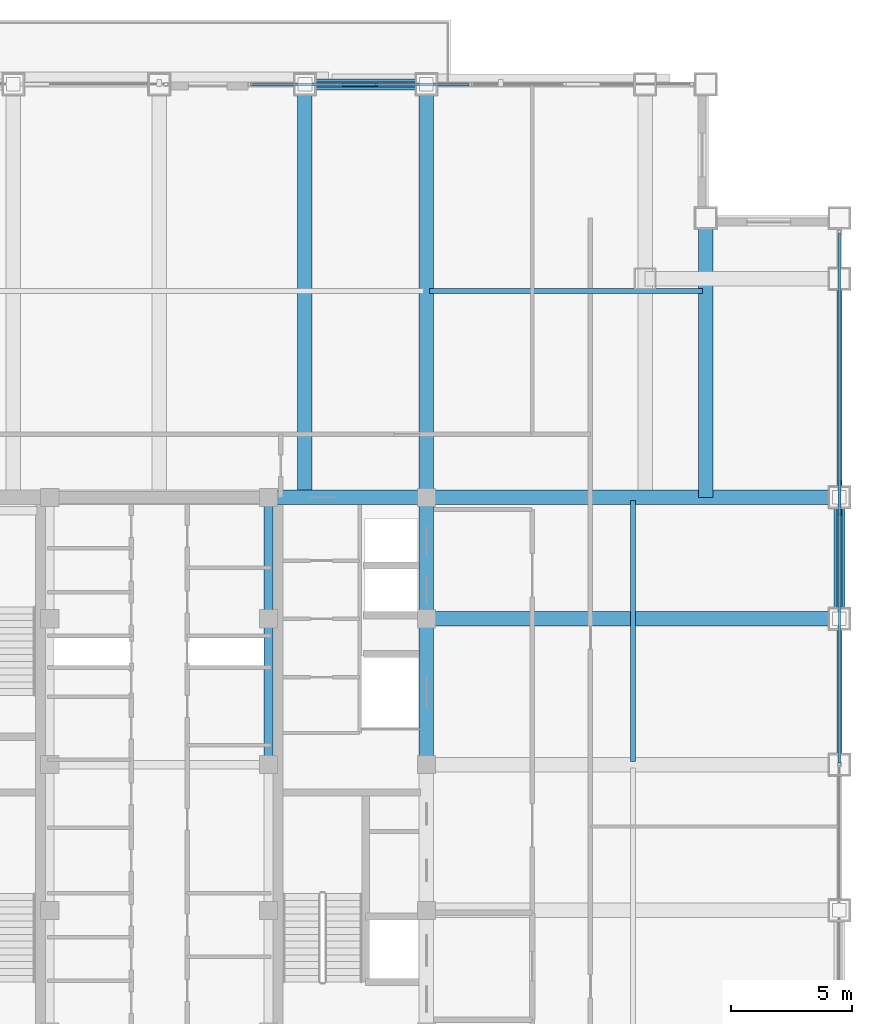
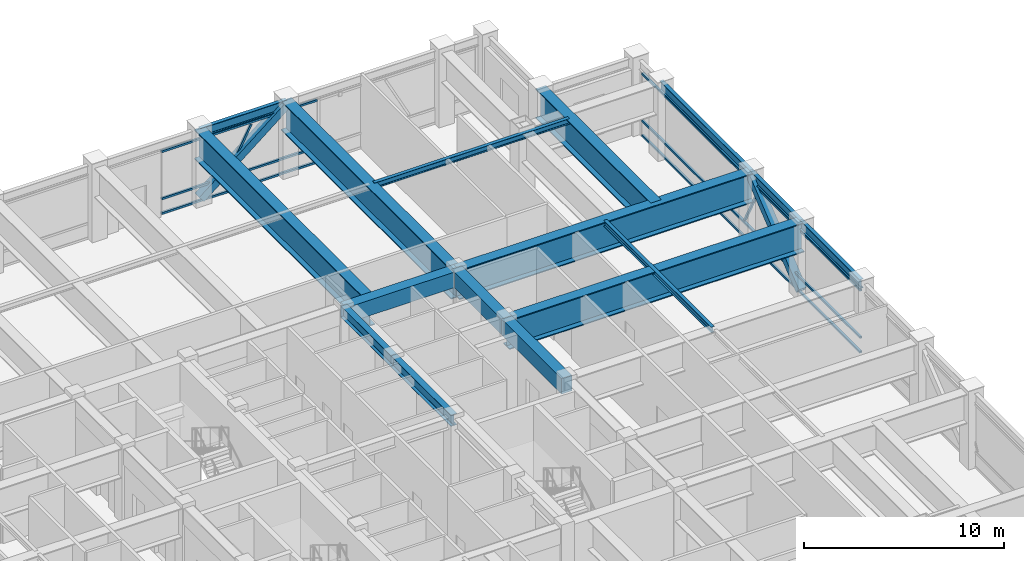
# One storey, part 18 of 31: 16 beams, 10 members, 2 elements without a shape of their own.
"""IFC4 building model written with IfcOpenShell, lengths in metres."""

from ifc_helpers import new_model, si_unit, direction, frame, origin, origin_2d, place, context, subcontext, project, spatial, rectangle, hollow_rectangle, i_section, extrude, source, transform, mapped, material, material_profile, profile_set, type_object, element, aggregate, save


model = new_model("IFC4")

# Units and contexts
model_context = context("Model", 3, precision=1e-05, world=origin(), true_north=direction((0.0, 1.0)))
body_context = subcontext(model_context, "Body", "Model", "MODEL_VIEW")
ifc_project = project(units=[si_unit("LENGTHUNIT", "METRE"), si_unit("AREAUNIT", "SQUARE_METRE"), si_unit("VOLUMEUNIT", "CUBIC_METRE"), si_unit("PLANEANGLEUNIT", "RADIAN"), si_unit("MASSUNIT", "GRAM", prefix="KILO")], contexts=[model_context])

# Site, building, storey
site_placement = place(None, origin())
site = spatial("IfcSite", under=ifc_project, at=site_placement, CompositionType="ELEMENT")
building_placement = place(site_placement, origin())
building = spatial("IfcBuilding", under=site, at=building_placement, Name="Khorayat Bourse Tower", CompositionType="ELEMENT")
storey_placement = place(building_placement, frame((0.0, 0.0, 321.5)))
storey = spatial("IfcBuildingStorey", under=building, at=storey_placement, Name="L76", CompositionType="ELEMENT", Elevation=321.5)

# Beams
ifc_material_1 = material(Name="Steel ASTM A992 Grade 50", Category="steel")
ifc_material_profile_1 = material_profile(ifc_material_1, i_section(OverallWidth=0.35498046875, OverallDepth=0.695068359375, WebThickness=0.015380859375, FlangeThickness=0.02490234375, FilletRadius=0.01806640625, at=origin_2d()), Name="W690X217")
ifc_profile_set_1 = profile_set([ifc_material_profile_1], Name="Steel ASTM A992 Grade 50")
beam_type_1 = type_object("IfcBeamType", Name="BM-GIRD-690", PredefinedType="BEAM", material=ifc_profile_set_1)
shared_shape_1 = source(origin(), body_context, "Body", "SweptSolid", [
    extrude(i_section(OverallWidth=0.35498046875, OverallDepth=0.695068359375, WebThickness=0.015380859375, FlangeThickness=0.02490234375, FilletRadius=0.01806640625, at=origin_2d()), origin(), (0.0, 0.0, 1.0), 5.0),
])
beam_1_placement = place(storey_placement, frame((4.5, 6.0, 4.1923828125), z_axis=(0.0, 1.0, 0.0), x_axis=(-1.0, 0.0, 0.0)))
element("IfcBeam", 1, at=beam_1_placement, inside=storey, type_object=beam_type_1, Name="L76 BM-GIRD-690 BM-L76-CRX-12", PredefinedType="BEAM", context=body_context, shape_type="MappedRepresentation", body=[
    mapped(shared_shape_1, transform((0.0, 0.0, 0.0), scale=1.0)),
])
shared_shape_2 = source(origin(), body_context, "Body", "SweptSolid", [
    extrude(i_section(OverallWidth=0.35498046875, OverallDepth=0.695068359375, WebThickness=0.015380859375, FlangeThickness=0.02490234375, FilletRadius=0.01806640625, at=origin_2d()), origin(), (0.0, 0.0, 1.0), 6.0),
])
beam_2_placement = place(storey_placement, frame((4.5, 0.0, 4.1923828125), z_axis=(0.0, 1.0, 0.0), x_axis=(-1.0, 0.0, 0.0)))
element("IfcBeam", 2, at=beam_2_placement, inside=storey, type_object=beam_type_1, Name="L76 BM-GIRD-690 BM-L76-CRX-11", PredefinedType="BEAM", context=body_context, shape_type="MappedRepresentation", body=[
    mapped(shared_shape_2, transform((0.0, 0.0, 0.0), scale=1.0)),
])
ifc_material_2 = material(Name="Steel EN 10025-4 S460M", Category="steel")
ifc_material_profile_2 = material_profile(ifc_material_2, i_section(OverallWidth=0.60009765625, OverallDepth=1.800048828125, WebThickness=0.031982421875, FlangeThickness=0.06005859375, at=origin_2d()), Name="PG 1800x600x32x60")
ifc_profile_set_2 = profile_set([ifc_material_profile_2], Name="Steel EN 10025-4 S460M")
beam_type_2 = type_object("IfcBeamType", Name="BM-TR-1800", PredefinedType="BEAM", material=ifc_profile_set_2)
shared_shape_3 = source(origin(), body_context, "Body", "SweptSolid", [
    extrude(i_section(OverallWidth=0.60009765625, OverallDepth=1.800048828125, WebThickness=0.031982421875, FlangeThickness=0.06005859375, at=origin_2d()), origin(), (0.0, 0.0, 1.0), 17.0),
])
for number, where, z_axis, x_axis, name in (
    (3, (6.0, 11.0, 3.60009765625), (0.0, 1.0, 0.0), (-1.0, 0.0, 0.0), "L76 BM-TR-1800 BM-L76-RADY-070"),
    (4, (11.0, 11.0, 3.60009765625), (0.0, 1.0, 0.0), (-1.0, 0.0, 0.0), "L76 BM-TR-1800 BM-L76-RADY-072"),
    (5, (11.0, 6.0, 3.639892578125), (1.0, 0.0, 0.0), (0.0, 1.0, 0.0), "L76 BM-TR-1800 BM-L76-RADX-080"),
    (6, (11.0, 11.0, 3.639892578125), (1.0, 0.0, 0.0), (0.0, 1.0, 0.0), "L76 BM-TR-1800 BM-L76-RADX-082"),
):
    element("IfcBeam", number, at=place(storey_placement, frame(where, z_axis=z_axis, x_axis=x_axis)), inside=storey, type_object=beam_type_2, Name=name, PredefinedType="BEAM", context=body_context, shape_type="MappedRepresentation", body=[
        mapped(shared_shape_3, transform((0.0, 0.0, 0.0), scale=1.0)),
    ])
ifc_material_3 = material(Name="Concrete C60/75", Category="concrete")
ifc_material_profile_3 = material_profile(ifc_material_3, rectangle(XDim=0.60009765625, YDim=0.949951171875, at=origin_2d()), Name="RC 600x950")
ifc_profile_set_3 = profile_set([ifc_material_profile_3], Name="Concrete C60/75")
beam_type_3 = type_object("IfcBeamType", Name="BM-COUP-950", PredefinedType="BEAM", material=ifc_profile_set_3)
shared_shape_4 = source(origin(), body_context, "Body", "SweptSolid", [
    extrude(rectangle(XDim=0.60009765625, YDim=0.949951171875, at=origin_2d()), origin(), (0.0, 0.0, 1.0), 5.0),
])
beam_3_placement = place(storey_placement, frame((11.0, 6.0, 4.06494140625), z_axis=(0.0, 1.0, 0.0), x_axis=(-1.0, 0.0, 0.0)))
element("IfcBeam", 7, at=beam_3_placement, inside=storey, type_object=beam_type_3, Name="L76 BM-COUP-950 BM-L76-CRX-16", PredefinedType="BEAM", context=body_context, shape_type="MappedRepresentation", body=[
    mapped(shared_shape_4, transform((0.0, 0.0, 0.0), scale=1.0)),
])
shared_shape_5 = source(origin(), body_context, "Body", "SweptSolid", [
    extrude(rectangle(XDim=0.60009765625, YDim=0.949951171875, at=origin_2d()), origin(), (0.0, 0.0, 1.0), 6.0),
])
beam_4_placement = place(storey_placement, frame((11.0, 0.0, 4.06494140625), z_axis=(0.0, 1.0, 0.0), x_axis=(-1.0, 0.0, 0.0)))
element("IfcBeam", 8, at=beam_4_placement, inside=storey, type_object=beam_type_3, Name="L76 BM-COUP-950 BM-L76-CRX-15", PredefinedType="BEAM", context=body_context, shape_type="MappedRepresentation", body=[
    mapped(shared_shape_5, transform((0.0, 0.0, 0.0), scale=1.0)),
])
shared_shape_6 = source(origin(), body_context, "Body", "SweptSolid", [
    extrude(rectangle(XDim=0.60009765625, YDim=0.949951171875, at=origin_2d()), origin(), (0.0, 0.0, 1.0), 6.5),
])
beam_5_placement = place(storey_placement, frame((4.5, 11.0, 4.06494140625), z_axis=(1.0, 0.0, 0.0), x_axis=(0.0, 1.0, 0.0)))
element("IfcBeam", 9, at=beam_5_placement, inside=storey, type_object=beam_type_3, Name="L76 BM-COUP-950 BM-L76-CRY-22", PredefinedType="BEAM", context=body_context, shape_type="MappedRepresentation", body=[
    mapped(shared_shape_6, transform((0.0, 0.0, 0.0), scale=1.0)),
])
ifc_material_profile_4 = material_profile(ifc_material_1, i_section(OverallWidth=0.202880859375, OverallDepth=0.346923828125, WebThickness=0.0078125, FlangeThickness=0.013427734375, FilletRadius=0.010009765625, at=origin_2d()), Name="W360X64")
ifc_profile_set_4 = profile_set([ifc_material_profile_4], Name="Steel ASTM A992 Grade 50")
beam_type_4 = type_object("IfcBeamType", Name="BM-JOIST-360", PredefinedType="JOIST", material=ifc_profile_set_4)
shared_shape_7 = source(origin(), body_context, "Body", "SweptSolid", [
    extrude(i_section(OverallWidth=0.202880859375, OverallDepth=0.346923828125, WebThickness=0.0078125, FlangeThickness=0.013427734375, FilletRadius=0.010009765625, at=origin_2d()), origin(), (0.0, 0.0, 1.0), 11.240234375),
])
beam_6_placement = place(storey_placement, frame((11.1298828125, 19.5, 4.366455078125), z_axis=(1.0, 0.0, 0.0), x_axis=(0.0, 1.0, 0.0)))
element("IfcBeam", 10, at=beam_6_placement, inside=storey, type_object=beam_type_4, Name="L76 BM-JOIST-360 BM-L76-JSTX-101", PredefinedType="JOIST", context=body_context, shape_type="MappedRepresentation", body=[
    mapped(shared_shape_7, transform((0.0, 0.0, 0.0), scale=1.0)),
])
shared_shape_8 = source(origin(), body_context, "Body", "SweptSolid", [
    extrude(i_section(OverallWidth=0.202880859375, OverallDepth=0.346923828125, WebThickness=0.0078125, FlangeThickness=0.013427734375, FilletRadius=0.010009765625, at=origin_2d()), origin(), (0.0, 0.0, 1.0), 10.740234375),
])
beam_7_placement = place(storey_placement, frame((19.5, 0.1298828125, 4.366455078125), z_axis=(0.0, 1.0, 0.0), x_axis=(-1.0, 0.0, 0.0)))
element("IfcBeam", 11, at=beam_7_placement, inside=storey, type_object=beam_type_4, Name="L76 BM-JOIST-360 BM-L76-JSTY-105", PredefinedType="JOIST", context=body_context, shape_type="MappedRepresentation", body=[
    mapped(shared_shape_8, transform((0.0, 0.0, 0.0), scale=1.0)),
])
ifc_material_profile_5 = material_profile(ifc_material_1, i_section(OverallWidth=0.214111328125, OverallDepth=0.549072265625, WebThickness=0.0146484375, FlangeThickness=0.023681640625, FilletRadius=0.013916015625, at=origin_2d()), Name="W530X138")
ifc_profile_set_5 = profile_set([ifc_material_profile_5], Name="Steel ASTM A992 Grade 50")
beam_type_5 = type_object("IfcBeamType", Name="BM-SPAN-530", PredefinedType="SPANDREL", material=ifc_profile_set_5)
shared_shape_9 = source(origin(), body_context, "Body", "SweptSolid", [
    extrude(i_section(OverallWidth=0.214111328125, OverallDepth=0.549072265625, WebThickness=0.0146484375, FlangeThickness=0.023681640625, FilletRadius=0.013916015625, at=origin_2d()), origin(), (0.0, 0.0, 1.0), 9.0),
])
beam_8_placement = place(storey_placement, frame((28.0, 11.0, 4.265380859375), z_axis=(0.0, 1.0, 0.0), x_axis=(-1.0, 0.0, 0.0)))
element("IfcBeam", 12, at=beam_8_placement, inside=storey, type_object=beam_type_5, Name="L76 BM-SPAN-530 BM-L76-SPN-040", PredefinedType="SPANDREL", context=body_context, shape_type="MappedRepresentation", body=[
    mapped(shared_shape_9, transform((0.0, 0.0, 0.0), scale=1.0)),
])
shared_shape_10 = source(origin(), body_context, "Body", "SweptSolid", [
    extrude(i_section(OverallWidth=0.214111328125, OverallDepth=0.549072265625, WebThickness=0.0146484375, FlangeThickness=0.023681640625, FilletRadius=0.013916015625, at=origin_2d()), origin(), (0.0, 0.0, 1.0), 5.0),
])
for number, where, z_axis, x_axis, name in (
    (13, (28.0, 6.0, 4.265380859375), (0.0, 1.0, 0.0), (-1.0, 0.0, 0.0), "L76 BM-SPAN-530 BM-L76-SPN-039"),
    (14, (6.0, 28.0, 4.2255859375), (1.0, 0.0, 0.0), (0.0, 1.0, 0.0), "L76 BM-SPAN-530 BM-L76-SPN-046"),
):
    element("IfcBeam", number, at=place(storey_placement, frame(where, z_axis=z_axis, x_axis=x_axis)), inside=storey, type_object=beam_type_5, Name=name, PredefinedType="SPANDREL", context=body_context, shape_type="MappedRepresentation", body=[
        mapped(shared_shape_10, transform((0.0, 0.0, 0.0), scale=1.0)),
    ])
shared_shape_11 = source(origin(), body_context, "Body", "SweptSolid", [
    extrude(i_section(OverallWidth=0.214111328125, OverallDepth=0.549072265625, WebThickness=0.0146484375, FlangeThickness=0.023681640625, FilletRadius=0.013916015625, at=origin_2d()), origin(), (0.0, 0.0, 1.0), 6.0),
])
beam_9_placement = place(storey_placement, frame((28.0, 0.0, 4.265380859375), z_axis=(0.0, 1.0, 0.0), x_axis=(-1.0, 0.0, 0.0)))
element("IfcBeam", 15, at=beam_9_placement, inside=storey, type_object=beam_type_5, Name="L76 BM-SPAN-530 BM-L76-SPN-038", PredefinedType="SPANDREL", context=body_context, shape_type="MappedRepresentation", body=[
    mapped(shared_shape_11, transform((0.0, 0.0, 0.0), scale=1.0)),
])
shared_shape_12 = source(origin(), body_context, "Body", "SweptSolid", [
    extrude(i_section(OverallWidth=0.60009765625, OverallDepth=1.800048828125, WebThickness=0.031982421875, FlangeThickness=0.06005859375, at=origin_2d()), origin(), (0.0, 0.0, 1.0), 11.5),
])
beam_10_placement = place(storey_placement, frame((22.5, 11.0, 3.639892578125), z_axis=(0.0, 1.0, 0.0), x_axis=(-1.0, 0.0, 0.0)))
element("IfcBeam", 16, at=beam_10_placement, inside=storey, type_object=beam_type_2, Name="L76 BM-TR-1800 BM-L76-CNRY-091", PredefinedType="BEAM", context=body_context, shape_type="MappedRepresentation", body=[
    mapped(shared_shape_12, transform((0.0, 0.0, 0.0), scale=1.0)),
])

# Members
ifc_material_profile_6 = material_profile(ifc_material_2, hollow_rectangle(XDim=0.449951171875, YDim=0.449951171875, WallThickness=0.02490234375, at=origin_2d()), Name="HSS 450x450x25")
ifc_profile_set_6 = profile_set([ifc_material_profile_6], Name="Steel EN 10025-4 S460M")
member_type_1 = type_object("IfcMemberType", Name="MBR-TUBE-450", PredefinedType="BRACE", material=ifc_profile_set_6)
shared_shape_13 = source(origin(), body_context, "Body", "SweptSolid", [
    extrude(hollow_rectangle(XDim=0.449951171875, YDim=0.449951171875, WallThickness=0.02490234375, at=origin_2d()), origin(), (0.0, 0.0, 1.0), 6.42822265625),
])
for number, where, z_axis, x_axis, name in (
    (17, (6.0, 28.0, 0.25), (0.777821209127, 0.0, 0.628485613703), (0.0, 1.0, 0.0), "L76 Perimeter Tube Brace 04"),
    (18, (28.0, 6.0, 0.25), (0.0, 0.777821209127, 0.628485613703), (-1.0, 0.0, 0.0), "L76 Perimeter Tube Brace 08"),
):
    element("IfcMember", number, at=place(storey_placement, frame(where, z_axis=z_axis, x_axis=x_axis)), inside=storey, type_object=member_type_1, Name=name, PredefinedType="BRACE", context=body_context, shape_type="MappedRepresentation", body=[
        mapped(shared_shape_13, transform((0.0, 0.0, 0.0), scale=1.0)),
    ])

# Curtain wall, member
ifc_material_4 = material(Name="Aluminium EN AW-6063 T6", Category="aluminium")
curtain_wall_type = type_object("IfcCurtainWallType", Name="CW-SYS-05", PredefinedType="NOTDEFINED", material=ifc_material_4)
curtain_wall_1_placement = place(storey_placement, origin())
curtain_wall_1 = element("IfcCurtainWall", 19, at=curtain_wall_1_placement, inside=storey, type_object=curtain_wall_type, Name="L76 Curtain Wall CW-L76-N2", PredefinedType="NOTDEFINED")
ifc_material_profile_7 = material_profile(ifc_material_4, hollow_rectangle(XDim=0.1201171875, YDim=0.1201171875, WallThickness=0.0048828125, at=origin_2d()), Name="ALU 120x120x5")
ifc_profile_set_7 = profile_set([ifc_material_profile_7], Name="Aluminium EN AW-6063 T6")
member_type_2 = type_object("IfcMemberType", Name="CWM-DIAG-120", PredefinedType="MULLION", material=ifc_profile_set_7)
shared_shape_14 = source(origin(), body_context, "Body", "SweptSolid", [
    extrude(hollow_rectangle(XDim=0.1201171875, YDim=0.1201171875, WallThickness=0.0048828125, at=origin_2d()), origin(), (0.0, 0.0, 1.0), 2.93798828125),
])
member_1_placement = place(storey_placement, frame((7.58837890625, 28.0, 1.090087890625), z_axis=(0.465763557035, 0.0, 0.884909209432), x_axis=(0.0, 1.0, 0.0)))
member_1 = element("IfcMember", 20, at=member_1_placement, type_object=member_type_2, Name="CW-L76-N2 Faceted Diagonal Mullion 1", PredefinedType="MULLION", context=body_context, shape_type="MappedRepresentation", body=[
    mapped(shared_shape_14, transform((0.0, 0.0, 0.0), scale=1.0)),
])

curtain_wall_2_placement = place(storey_placement, origin())
curtain_wall_2 = element("IfcCurtainWall", 21, at=curtain_wall_2_placement, inside=storey, type_object=curtain_wall_type, Name="L76 Curtain Wall CW-L76-E1", PredefinedType="NOTDEFINED")
member_2_placement = place(storey_placement, frame((28.0, 11.649169921875, 1.090087890625), z_axis=(0.0, -0.465763557035, 0.884909209432), x_axis=(1.0, 0.0, 0.0)))
member_2 = element("IfcMember", 22, at=member_2_placement, type_object=member_type_2, Name="CW-L76-E1 Faceted Diagonal Mullion 2", PredefinedType="MULLION", context=body_context, shape_type="MappedRepresentation", body=[
    mapped(shared_shape_14, transform((0.0, 0.0, 0.0), scale=1.0)),
])

# Member
ifc_material_profile_8 = material_profile(ifc_material_4, hollow_rectangle(XDim=0.1201171875, YDim=0.1201171875, WallThickness=0.0048828125, at=origin_2d()), Name="ALU 120x120x5")
ifc_profile_set_8 = profile_set([ifc_material_profile_8], Name="Aluminium EN AW-6063 T6")
member_type_3 = type_object("IfcMemberType", Name="CWT-HORZ-120", PredefinedType="USERDEFINED", material=ifc_profile_set_8)
shared_shape_15 = source(origin(), body_context, "Body", "SweptSolid", [
    extrude(hollow_rectangle(XDim=0.1201171875, YDim=0.1201171875, WallThickness=0.0048828125, at=origin_2d()), origin(), (0.0, 0.0, 1.0), 8.96484375),
])
member_3_placement = place(storey_placement, frame((3.7900390625, 28.0, 0.06005859375), z_axis=(1.0, 0.0, 0.0), x_axis=(0.0, 1.0, 0.0)))
member_3 = element("IfcMember", 23, at=member_3_placement, type_object=member_type_3, Name="CW-L76-N2 Horizontal Transom 1-1", ObjectType="TRANSOM", PredefinedType="USERDEFINED", context=body_context, shape_type="MappedRepresentation", body=[
    mapped(shared_shape_15, transform((0.0, 0.0, 0.0), scale=1.0)),
])

member_4_placement = place(storey_placement, frame((3.7900390625, 28.0, 0.949951171875), z_axis=(1.0, 0.0, 0.0), x_axis=(0.0, 1.0, 0.0)))
member_4 = element("IfcMember", 24, at=member_4_placement, type_object=member_type_3, Name="CW-L76-N2 Horizontal Transom 1-2", ObjectType="TRANSOM", PredefinedType="USERDEFINED", context=body_context, shape_type="MappedRepresentation", body=[
    mapped(shared_shape_15, transform((0.0, 0.0, 0.0), scale=1.0)),
])

member_5_placement = place(storey_placement, frame((3.7900390625, 28.0, 3.830078125), z_axis=(1.0, 0.0, 0.0), x_axis=(0.0, 1.0, 0.0)))
member_5 = element("IfcMember", 25, at=member_5_placement, type_object=member_type_3, Name="CW-L76-N2 Horizontal Transom 1-3", ObjectType="TRANSOM", PredefinedType="USERDEFINED", context=body_context, shape_type="MappedRepresentation", body=[
    mapped(shared_shape_15, transform((0.0, 0.0, 0.0), scale=1.0)),
])

aggregate(curtain_wall_1, [member_3, member_4, member_5, member_1])

shared_shape_16 = source(origin(), body_context, "Body", "SweptSolid", [
    extrude(hollow_rectangle(XDim=0.1201171875, YDim=0.1201171875, WallThickness=0.0048828125, at=origin_2d()), origin(), (0.0, 0.0, 1.0), 21.7900390625),
])
member_6_placement = place(storey_placement, frame((28.0, 0.070068359375, 0.06005859375), z_axis=(0.0, 1.0, 0.0), x_axis=(-1.0, 0.0, 0.0)))
member_6 = element("IfcMember", 26, at=member_6_placement, type_object=member_type_3, Name="CW-L76-E1 Horizontal Transom 2-1", ObjectType="TRANSOM", PredefinedType="USERDEFINED", context=body_context, shape_type="MappedRepresentation", body=[
    mapped(shared_shape_16, transform((0.0, 0.0, 0.0), scale=1.0)),
])

member_7_placement = place(storey_placement, frame((28.0, 0.070068359375, 0.949951171875), z_axis=(0.0, 1.0, 0.0), x_axis=(-1.0, 0.0, 0.0)))
member_7 = element("IfcMember", 27, at=member_7_placement, type_object=member_type_3, Name="CW-L76-E1 Horizontal Transom 2-2", ObjectType="TRANSOM", PredefinedType="USERDEFINED", context=body_context, shape_type="MappedRepresentation", body=[
    mapped(shared_shape_16, transform((0.0, 0.0, 0.0), scale=1.0)),
])

member_8_placement = place(storey_placement, frame((28.0, 0.070068359375, 3.830078125), z_axis=(0.0, 1.0, 0.0), x_axis=(-1.0, 0.0, 0.0)))
member_8 = element("IfcMember", 28, at=member_8_placement, type_object=member_type_3, Name="CW-L76-E1 Horizontal Transom 2-3", ObjectType="TRANSOM", PredefinedType="USERDEFINED", context=body_context, shape_type="MappedRepresentation", body=[
    mapped(shared_shape_16, transform((0.0, 0.0, 0.0), scale=1.0)),
])

aggregate(curtain_wall_2, [member_6, member_7, member_8, member_2])

save(model, "model.ifc")
